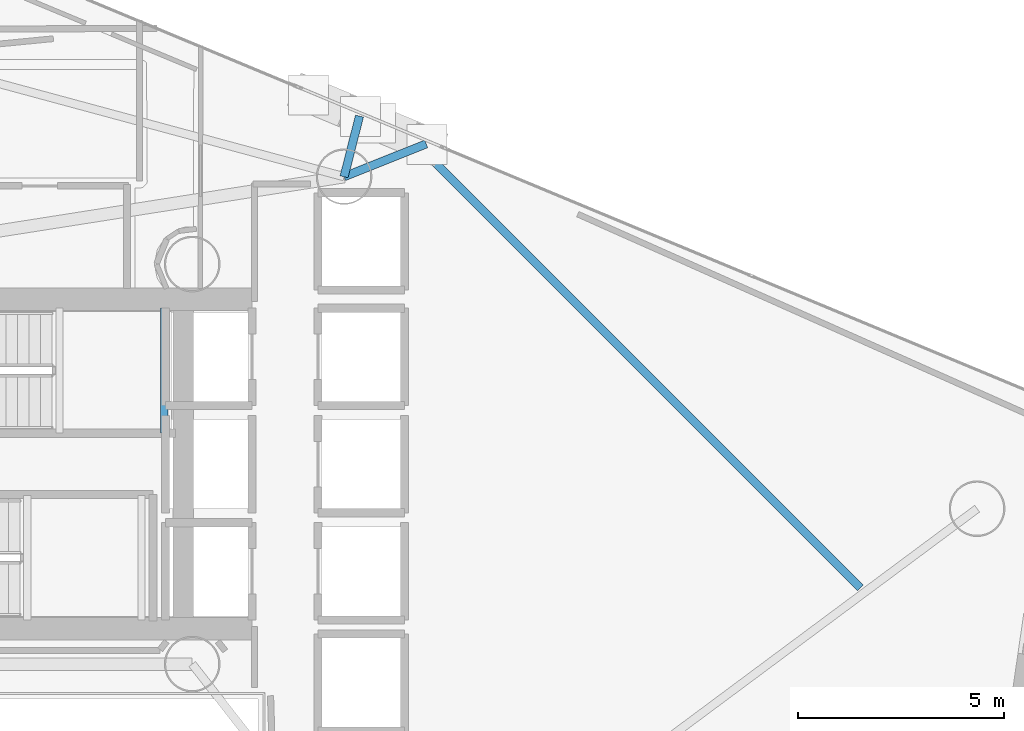
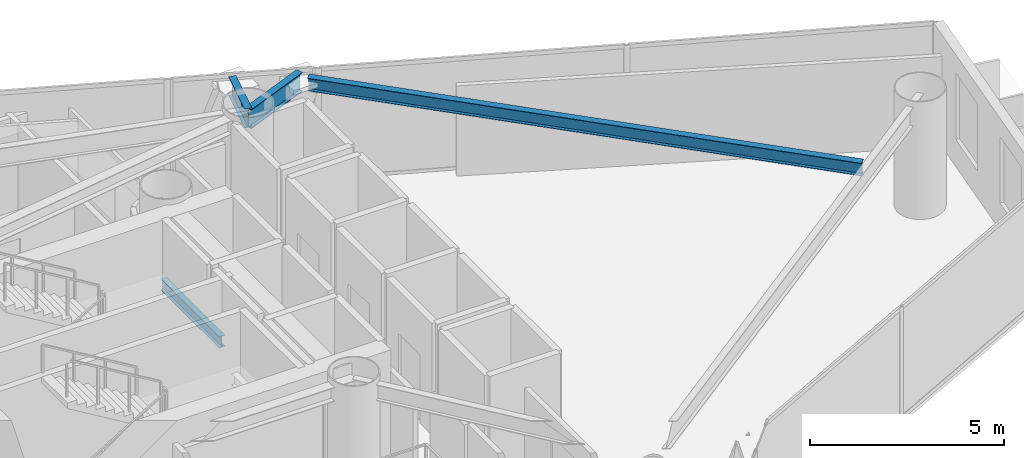
# One storey, part 13 of 23: 4 beams.
"""IFC4 building model written with IfcOpenShell, lengths in metres."""

from ifc_helpers import new_model, si_unit, direction, frame, origin, origin_2d, place, context, subcontext, project, spatial, i_section, extrude, material, material_profile, profile_set, type_object, element, save


model = new_model("IFC4")

# Units and contexts
model_context = context("Model", 3, precision=1e-05, world=origin(), true_north=direction((0.0, 1.0)))
body_context = subcontext(model_context, "Body", "Model", "MODEL_VIEW")
ifc_project = project(units=[si_unit("LENGTHUNIT", "METRE"), si_unit("AREAUNIT", "SQUARE_METRE"), si_unit("VOLUMEUNIT", "CUBIC_METRE"), si_unit("PLANEANGLEUNIT", "RADIAN"), si_unit("MASSUNIT", "GRAM", prefix="KILO")], contexts=[model_context])

# Site, building, storey
site_placement = place(None, origin())
site = spatial("IfcSite", under=ifc_project, at=site_placement, CompositionType="ELEMENT")
building_placement = place(site_placement, origin())
building = spatial("IfcBuilding", under=site, at=building_placement, Name="Qianvela Tower", CompositionType="ELEMENT")
storey_placement = place(building_placement, frame((0.0, 0.0, 162.39990234375)))
storey = spatial("IfcBuildingStorey", under=building, at=storey_placement, Name="L41", CompositionType="ELEMENT", Elevation=162.39990234375)

# Beams
ifc_material_1 = material(Name="Steel Q355B", Category="steel")
ifc_material_profile_1 = material_profile(ifc_material_1, i_section(OverallWidth=0.175048828125, OverallDepth=0.35009765625, WebThickness=0.007080078125, FlangeThickness=0.010986328125, at=origin_2d()), Name="HN350x175x7x11")
ifc_profile_set_1 = profile_set([ifc_material_profile_1], Name="Steel Q355B")
beam_type_1 = type_object("IfcBeamType", Name="BM-HN350-JOIST", PredefinedType="JOIST", material=ifc_profile_set_1)
beam_1_placement = place(storey_placement, frame((37.719970703125, 29.4599609375, 1.47509765625), z_axis=(0.0, 1.0, 0.0), x_axis=(-1.0, 0.0, 0.0)))
element("IfcBeam", 1, at=beam_1_placement, inside=storey, type_object=beam_type_1, Name="L41 Stair ST-1 Landing Support Beam 1.2", PredefinedType="JOIST", context=body_context, shape_type="SweptSolid", body=[
    extrude(i_section(OverallWidth=0.175048828125, OverallDepth=0.35009765625, WebThickness=0.007080078125, FlangeThickness=0.010986328125, at=origin_2d()), origin(), (0.0, 0.0, 1.0), 3.02001953125),
])
ifc_material_2 = material(Name="Steel Q355B", Category="steel")
ifc_material_profile_2 = material_profile(ifc_material_2, i_section(OverallWidth=0.199951171875, OverallDepth=0.39990234375, WebThickness=0.008056640625, FlangeThickness=0.012939453125, at=origin_2d()), Name="HN400x200x8x13")
ifc_profile_set_2 = profile_set([ifc_material_profile_2], Name="Steel Q355B")
beam_type_2 = type_object("IfcBeamType", Name="BM-HN400-JOIST", PredefinedType="JOIST", material=ifc_profile_set_2)
beam_2_placement = place(storey_placement, frame((54.606689453125, 25.6962890625, 3.318115234375), z_axis=(-0.707098526042, 0.707115036235, 0.0), x_axis=(-0.707115036235, -0.707098526042, 0.0)))
element("IfcBeam", 2, at=beam_2_placement, inside=storey, type_object=beam_type_2, Name="L41 Bay Secondary Floor Joist 1", PredefinedType="JOIST", context=body_context, shape_type="SweptSolid", body=[
    extrude(i_section(OverallWidth=0.199951171875, OverallDepth=0.39990234375, WebThickness=0.008056640625, FlangeThickness=0.012939453125, at=origin_2d()), origin(), (0.0, 0.0, 1.0), 14.787353515625),
])
ifc_material_3 = material(Name="Steel Q355B", Category="steel")
ifc_material_profile_3 = material_profile(ifc_material_3, i_section(OverallWidth=0.199951171875, OverallDepth=0.60009765625, WebThickness=0.010986328125, FlangeThickness=0.01708984375, at=origin_2d()), Name="HN600x200x11x17")
ifc_profile_set_3 = profile_set([ifc_material_profile_3], Name="Steel Q355B")
beam_type_3 = type_object("IfcBeamType", Name="BM-HN600-GIRD", PredefinedType="BEAM", material=ifc_profile_set_3)
beam_3_placement = place(storey_placement, frame((42.0830078125, 35.6689453125, 3.218017578125), z_axis=(0.928633673952, 0.370997977895, 0.0), x_axis=(-0.370997977895, 0.928633673952, 0.0)))
element("IfcBeam", 3, at=beam_3_placement, inside=storey, type_object=beam_type_3, Name="L41 Mega-Brace Column Tie Bracket F1-1", PredefinedType="BEAM", context=body_context, shape_type="SweptSolid", body=[
    extrude(i_section(OverallWidth=0.199951171875, OverallDepth=0.60009765625, WebThickness=0.010986328125, FlangeThickness=0.01708984375, at=origin_2d()), origin(), (0.0, 0.0, 1.0), 2.14404296875),
])
beam_4_placement = place(storey_placement, frame((42.0830078125, 35.6689453125, 3.218017578125), z_axis=(0.24602171098, 0.969264317783, 0.0), x_axis=(-0.969264317783, 0.24602171098, 0.0)))
element("IfcBeam", 4, at=beam_4_placement, inside=storey, type_object=beam_type_3, Name="L41 Mega-Brace Column Tie Bracket F1-2", PredefinedType="BEAM", context=body_context, shape_type="SweptSolid", body=[
    extrude(i_section(OverallWidth=0.199951171875, OverallDepth=0.60009765625, WebThickness=0.010986328125, FlangeThickness=0.01708984375, at=origin_2d()), origin(), (0.0, 0.0, 1.0), 1.515380859375),
])

save(model, "model.ifc")
